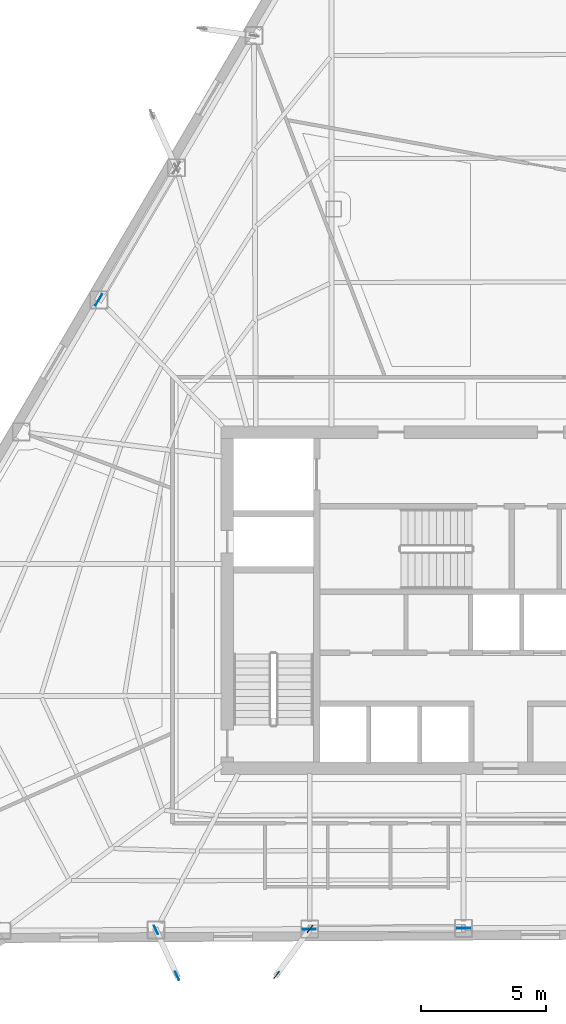
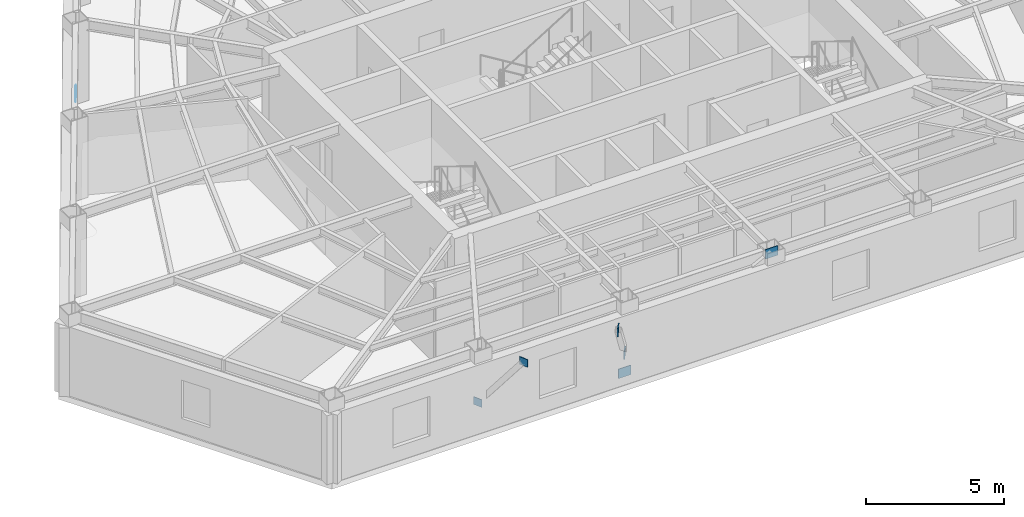
# One storey, part 4 of 11: 7 plates.
"""IFC4 building model written with IfcOpenShell, lengths in metres."""

from ifc_helpers import new_model, si_unit, direction, frame, origin, origin_2d, place, context, subcontext, project, spatial, rectangle, extrude, material, layer, layer_set, type_object, element, save


model = new_model("IFC4")

# Units and contexts
model_context = context("Model", 3, precision=1e-05, world=origin(), true_north=direction((0.0, 1.0)))
body_context = subcontext(model_context, "Body", "Model", "MODEL_VIEW")
ifc_project = project(units=[si_unit("LENGTHUNIT", "METRE"), si_unit("AREAUNIT", "SQUARE_METRE"), si_unit("VOLUMEUNIT", "CUBIC_METRE"), si_unit("PLANEANGLEUNIT", "RADIAN"), si_unit("MASSUNIT", "GRAM", prefix="KILO")], contexts=[model_context])

# Site, building, storey
site_placement = place(None, origin())
site = spatial("IfcSite", under=ifc_project, at=site_placement, CompositionType="ELEMENT")
building_placement = place(site_placement, origin())
building = spatial("IfcBuilding", under=site, at=building_placement, Name="Kavelnor Concourse Tower", CompositionType="ELEMENT")
storey_placement = place(building_placement, frame((0.0, 0.0, 139.39990234375)))
storey = spatial("IfcBuildingStorey", under=building, at=storey_placement, Name="L35", CompositionType="ELEMENT", Elevation=139.39990234375)

# Plates
ifc_material = material(Name="Steel Grade 350", Category="steel")
ifc_layer_1 = layer(ifc_material, 0.028076171875, Name="Steel Grade 350")
ifc_layer_set_1 = layer_set([ifc_layer_1], Name="Steel Grade 350")
plate_type_1 = type_object("IfcPlateType", Name="PL-GUSSET-FOLD", PredefinedType="USERDEFINED", material=ifc_layer_set_1)
for number, where, z_axis, x_axis, name in (
    (1, (25.365966796875, 2.8759765625, 0.8798828125), (0.0, 0.0, 1.0), (0.418025632026, -0.908435232127, 0.0), "L35 Balcony Strut Gusset GP4 2-A End Gusset A"),
    (2, (26.215576171875, 1.0302734375, 3.48486328125), (0.0, 0.0, 1.0), (0.418025632026, -0.908435232127, 0.0), "L35 Balcony Strut Gusset GP4 2-A End Gusset B"),
    (3, (31.546142578125, 2.9091796875, 0.8798828125), (0.0, 0.0, 1.0), (-0.587785252292, -0.809016994375, 0.0), "L35 Balcony Strut Gusset GP4 2-B End Gusset A"),
    (4, (30.203125, 1.060791015625, 3.48486328125), (0.0, 0.0, 1.0), (-0.587785252292, -0.809016994375, 0.0), "L35 Balcony Strut Gusset GP4 2-B End Gusset B"),
):
    element("IfcPlate", number, at=place(storey_placement, frame(where, z_axis=z_axis, x_axis=x_axis)), inside=storey, type_object=plate_type_1, Name=name, ObjectType="GUSSET_PLATE", PredefinedType="USERDEFINED", context=body_context, shape_type="SweptSolid", body=[
        extrude(rectangle(XDim=0.360107421875, YDim=0.028076171875, at=origin_2d()), origin(), (0.0, 0.0, 1.0), 0.340087890625),
    ])
ifc_layer_2 = layer(ifc_material, 0.031982421875, Name="Steel Grade 350")
ifc_layer_set_2 = layer_set([ifc_layer_2], Name="Steel Grade 350")
plate_type_2 = type_object("IfcPlateType", Name="PL-GUSSET-TUBE-Z1", PredefinedType="USERDEFINED", material=ifc_layer_set_2)
for number, where, z_axis, x_axis, name in (
    (5, (23.067626953125, 28.145263671875, 0.01025390625), (0.0, 0.0, 1.0), (0.50663578889, 0.862160180834, 0.0), "L35 Tube Brace Gusset GP3 F0-B2 End Gusset A"),
    (6, (31.527099609375, 2.8994140625, 0.01025390625), (0.0, 0.0, 1.0), (0.999984403629, 0.005585024571, 0.0), "L35 Tube Brace Gusset GP3 F1-B2 End Gusset A"),
    (7, (37.718994140625, 2.933837890625, 3.12353515625), (0.0, 0.0, 1.0), (0.999984403629, 0.005585024571, 0.0), "L35 Tube Brace Gusset GP3 F1-B2 End Gusset B"),
):
    element("IfcPlate", number, at=place(storey_placement, frame(where, z_axis=z_axis, x_axis=x_axis)), inside=storey, type_object=plate_type_2, Name=name, ObjectType="GUSSET_PLATE", PredefinedType="USERDEFINED", context=body_context, shape_type="SweptSolid", body=[
        extrude(rectangle(XDim=0.52001953125, YDim=0.031982421875, at=origin_2d()), origin(), (0.0, 0.0, 1.0), 0.419921875),
    ])

save(model, "model.ifc")
